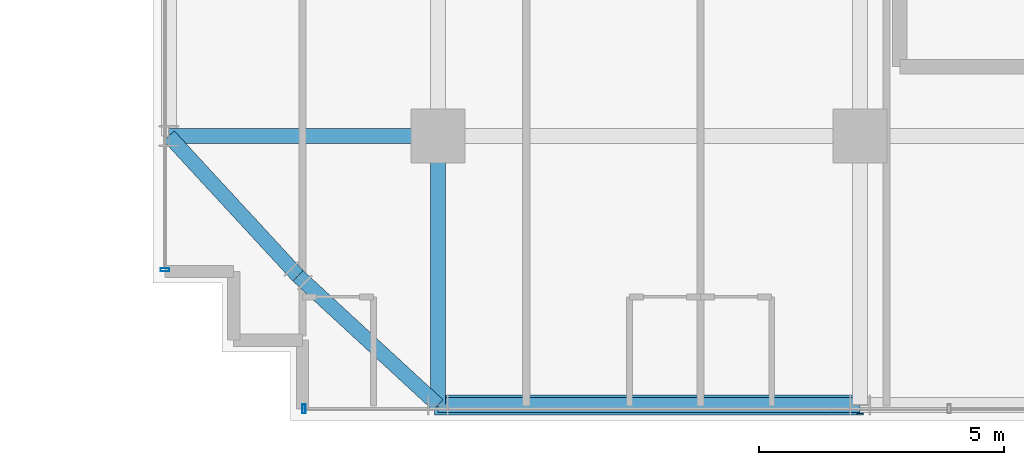
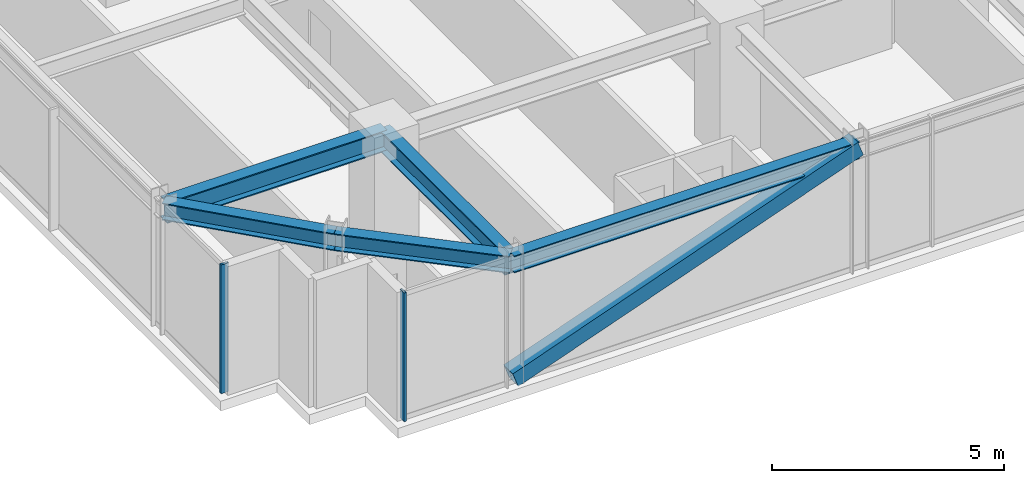
# One storey, part 2 of 32: 5 beams, 3 members, 2 elements without a shape of their own.
"""IFC4 building model written with IfcOpenShell, lengths in metres."""

from ifc_helpers import new_model, si_unit, direction, frame, origin, origin_2d, place, context, subcontext, project, spatial, hollow_rectangle, i_section, extrude, source, transform, mapped, material, material_profile, profile_set, type_object, element, aggregate, save


model = new_model("IFC4")

# Units and contexts
model_context = context("Model", 3, precision=1e-05, world=origin(), true_north=direction((0.0, 1.0)))
body_context = subcontext(model_context, "Body", "Model", "MODEL_VIEW")
ifc_project = project(units=[si_unit("LENGTHUNIT", "METRE"), si_unit("AREAUNIT", "SQUARE_METRE"), si_unit("VOLUMEUNIT", "CUBIC_METRE"), si_unit("PLANEANGLEUNIT", "RADIAN"), si_unit("MASSUNIT", "GRAM", prefix="KILO")], contexts=[model_context])

# Site, building, storey
site_placement = place(None, origin())
site = spatial("IfcSite", under=ifc_project, at=site_placement, CompositionType="ELEMENT")
building_placement = place(site_placement, origin())
building = spatial("IfcBuilding", under=site, at=building_placement, Name="Nahalor Promenade Grand Hotel", CompositionType="ELEMENT")
storey_placement = place(building_placement, frame((0.0, 0.0, 152.64990234375)))
storey = spatial("IfcBuildingStorey", under=building, at=storey_placement, Name="L38", CompositionType="ELEMENT", Elevation=152.64990234375)

# Beams
ifc_material_1 = material(Name="Steel S355JR", Category="steel")
ifc_material_profile_1 = material_profile(ifc_material_1, i_section(OverallWidth=0.3, OverallDepth=0.55, WebThickness=0.015, FlangeThickness=0.029, at=origin_2d()), Name="HEB 550")
ifc_profile_set_1 = profile_set([ifc_material_profile_1], Name="Steel S355JR")
beam_type_1 = type_object("IfcBeamType", Name="Beam-Girder-HEB550", PredefinedType="BEAM", material=ifc_profile_set_1)
shared_shape_1 = source(origin(), body_context, "Body", "SweptSolid", [
    extrude(i_section(OverallWidth=0.3, OverallDepth=0.55, WebThickness=0.015, FlangeThickness=0.029, at=origin_2d()), origin(), (0.0, 0.0, 1.0), 5.47998046875),
])
for number, where, z_axis, x_axis, name in (
    (1, (-22.47998046875, -17.0, 3.114990234375), (1.0, 0.0, 0.0), (0.0, 1.0, 0.0), "BM-L38-GX-0-0"),
    (2, (-17.0, -22.47998046875, 3.114990234375), (0.0, 1.0, 0.0), (-1.0, 0.0, 0.0), "BM-L38-GY-0-0"),
):
    element("IfcBeam", number, at=place(storey_placement, frame(where, z_axis=z_axis, x_axis=x_axis)), inside=storey, type_object=beam_type_1, Name=name, PredefinedType="BEAM", context=body_context, shape_type="MappedRepresentation", body=[
        mapped(shared_shape_1, transform((0.0, 0.0, 0.0), scale=1.0)),
    ])
ifc_material_profile_2 = material_profile(ifc_material_1, i_section(OverallWidth=0.3, OverallDepth=0.45, WebThickness=0.014, FlangeThickness=0.026, at=origin_2d()), Name="HEB 450")
ifc_profile_set_2 = profile_set([ifc_material_profile_2], Name="Steel S355JR")
beam_type_2 = type_object("IfcBeamType", Name="Beam-Spandrel-HEB450", PredefinedType="SPANDREL", material=ifc_profile_set_2)
shared_shape_2 = source(origin(), body_context, "Body", "SweptSolid", [
    extrude(i_section(OverallWidth=0.3, OverallDepth=0.45, WebThickness=0.014, FlangeThickness=0.026, at=origin_2d()), origin(), (0.0, 0.0, 1.0), 8.60009765625),
])
beam_placement = place(storey_placement, frame((-17.0, -22.47998046875, 3.1650390625), z_axis=(1.0, 0.0, 0.0), x_axis=(0.0, 1.0, 0.0)))
element("IfcBeam", 3, at=beam_placement, inside=storey, type_object=beam_type_2, Name="BM-L38-SP-S-0", PredefinedType="SPANDREL", context=body_context, shape_type="MappedRepresentation", body=[
    mapped(shared_shape_2, transform((0.0, 0.0, 0.0), scale=1.0)),
])
shared_shape_3 = source(origin(), body_context, "Body", "SweptSolid", [
    extrude(i_section(OverallWidth=0.3, OverallDepth=0.45, WebThickness=0.014, FlangeThickness=0.026, at=origin_2d()), origin(), (0.0, 0.0, 1.0), 3.878173828125),
])
for number, where, z_axis, x_axis, name in (
    (4, (-17.0, -22.47998046875, 3.1650390625), (-0.73492893846, 0.678144125843, 0.0), (-0.678144125843, -0.73492893846, 0.0), "BM-L38-SPC-SW-1"),
    (5, (-19.85009765625, -19.85009765625, 3.1650390625), (-0.678144125843, 0.73492893846, 0.0), (-0.73492893846, -0.678144125843, 0.0), "BM-L38-SPC-SW-2"),
):
    element("IfcBeam", number, at=place(storey_placement, frame(where, z_axis=z_axis, x_axis=x_axis)), inside=storey, type_object=beam_type_2, Name=name, PredefinedType="SPANDREL", context=body_context, shape_type="MappedRepresentation", body=[
        mapped(shared_shape_3, transform((0.0, 0.0, 0.0), scale=1.0)),
    ])

# Member
ifc_material_profile_3 = material_profile(ifc_material_1, hollow_rectangle(XDim=0.4, YDim=0.4, WallThickness=0.022, at=origin_2d()), Name="SHS 400x400x22")
ifc_profile_set_3 = profile_set([ifc_material_profile_3], Name="Steel S355JR")
member_type_1 = type_object("IfcMemberType", Name="Mem-ExoBrace-SHS400", PredefinedType="BRACE", material=ifc_profile_set_3)
shared_shape_4 = source(origin(), body_context, "Body", "SweptSolid", [
    extrude(hollow_rectangle(XDim=0.4, YDim=0.4, WallThickness=0.022, at=origin_2d()), origin(), (0.0, 0.0, 1.0), 9.138427734375),
])
member_1_placement = place(storey_placement, frame((-17.0, -22.47998046875, 0.150146484375), z_axis=(0.941103144716, 0.0, 0.338119610501), x_axis=(0.0, 1.0, 0.0)))
element("IfcMember", 6, at=member_1_placement, inside=storey, type_object=member_type_1, Name="EXO-L38-S-0", PredefinedType="BRACE", context=body_context, shape_type="MappedRepresentation", body=[
    mapped(shared_shape_4, transform((0.0, 0.0, 0.0), scale=1.0)),
])

# Curtain wall, member
ifc_material_2 = material(Name="Anodised Bronze Aluminium EN AW-6063 T6", Category="aluminium")
curtain_wall_type = type_object("IfcCurtainWallType", Name="CW2 Typical Hotel Flush Bronze Unitised Curtain Wall", PredefinedType="USERDEFINED", material=ifc_material_2)
curtain_wall_1_placement = place(storey_placement, origin())
curtain_wall_1 = element("IfcCurtainWall", 7, at=curtain_wall_1_placement, inside=storey, type_object=curtain_wall_type, Name="L38 Curtain Wall CW-L38-S-1", ObjectType="UNITISED_CURTAIN_WALL", PredefinedType="USERDEFINED")
ifc_material_profile_4 = material_profile(ifc_material_2, hollow_rectangle(XDim=0.065, YDim=0.18, WallThickness=0.004, at=origin_2d()), Name="CWM 65x180x4")
ifc_profile_set_4 = profile_set([ifc_material_profile_4], Name="Anodised Bronze Aluminium EN AW-6063 T6")
member_type_2 = type_object("IfcMemberType", Name="CWM2 Typical Bronze Mullion 65x180", PredefinedType="MULLION", material=ifc_profile_set_4)
shared_shape_5 = source(origin(), body_context, "Body", "SweptSolid", [
    extrude(hollow_rectangle(XDim=0.065, YDim=0.18, WallThickness=0.004, at=origin_2d()), origin(), (0.0, 0.0, 1.0), 3.39013671875),
])
member_2_placement = place(storey_placement, frame((-19.7275390625, -22.56005859375, 0.0), z_axis=(0.0, 0.0, 1.0), x_axis=(1.0, 0.0, 0.0)))
member_2 = element("IfcMember", 8, at=member_2_placement, type_object=member_type_2, Name="CW-L38-S-1 Mullion 0", PredefinedType="MULLION", context=body_context, shape_type="MappedRepresentation", body=[
    mapped(shared_shape_5, transform((0.0, 0.0, 0.0), scale=1.0)),
])
aggregate(curtain_wall_1, [member_2])

curtain_wall_2_placement = place(storey_placement, origin())
curtain_wall_2 = element("IfcCurtainWall", 9, at=curtain_wall_2_placement, inside=storey, type_object=curtain_wall_type, Name="L38 Curtain Wall CW-L38-W-1", ObjectType="UNITISED_CURTAIN_WALL", PredefinedType="USERDEFINED")
member_3_placement = place(storey_placement, frame((-22.56005859375, -19.7275390625, 0.0), z_axis=(0.0, 0.0, 1.0), x_axis=(0.0, 1.0, 0.0)))
member_3 = element("IfcMember", 10, at=member_3_placement, type_object=member_type_2, Name="CW-L38-W-1 Mullion 0", PredefinedType="MULLION", context=body_context, shape_type="MappedRepresentation", body=[
    mapped(shared_shape_5, transform((0.0, 0.0, 0.0), scale=1.0)),
])
aggregate(curtain_wall_2, [member_3])

save(model, "model.ifc")
